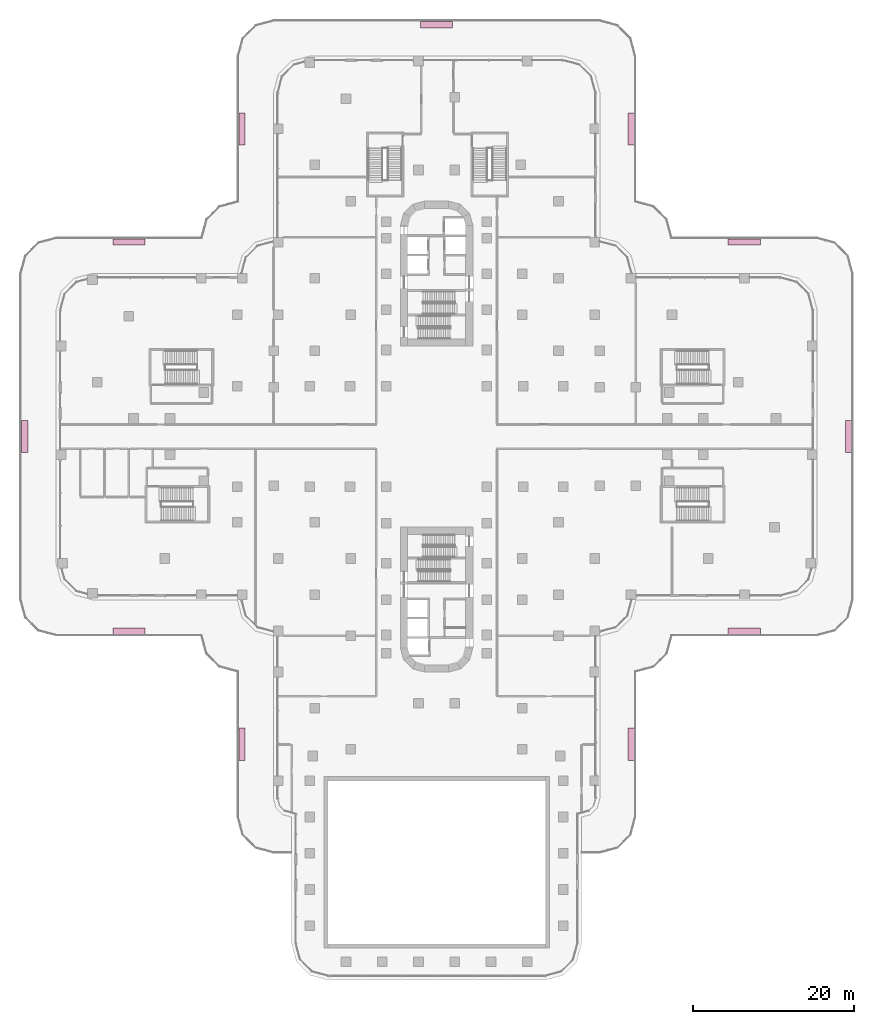
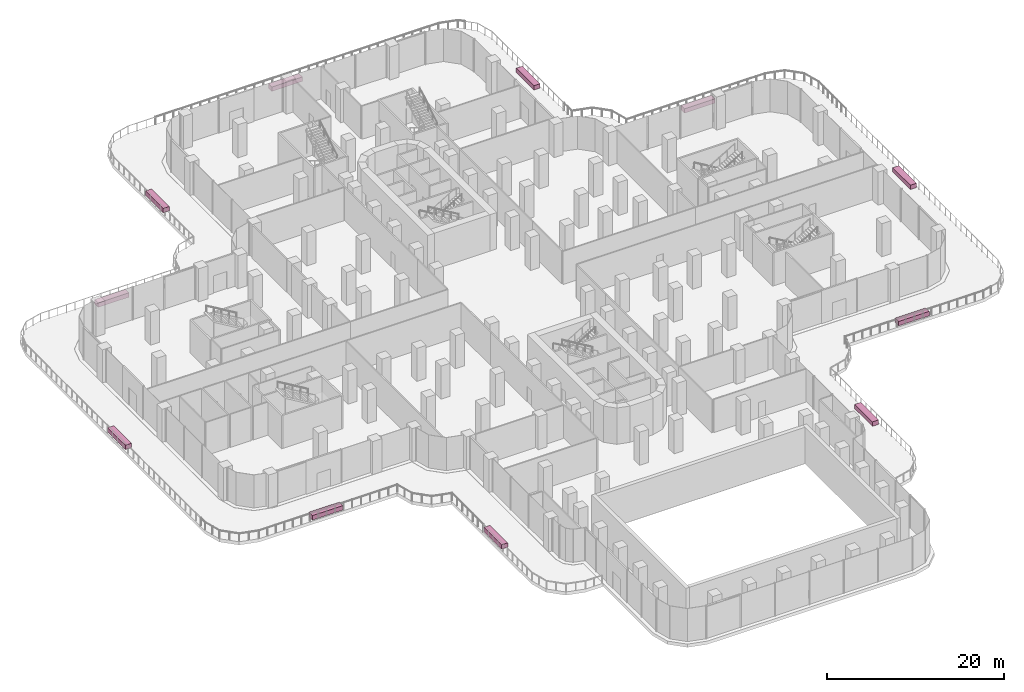
# One storey, part 29 of 29: 11 furniture elements.
"""IFC4 building model written with IfcOpenShell, lengths in metres."""

from ifc_helpers import new_model, si_unit, direction, frame, origin, origin_2d, place, context, subcontext, project, spatial, rectangle, extrude, material, type_object, element, save


model = new_model("IFC4")

# Units and contexts
model_context = context("Model", 3, precision=1e-05, world=origin(), true_north=direction((0.0, 1.0)))
body_context = subcontext(model_context, "Body", "Model", "MODEL_VIEW")
ifc_project = project(units=[si_unit("LENGTHUNIT", "METRE"), si_unit("AREAUNIT", "SQUARE_METRE"), si_unit("VOLUMEUNIT", "CUBIC_METRE"), si_unit("PLANEANGLEUNIT", "RADIAN"), si_unit("MASSUNIT", "GRAM", prefix="KILO")], contexts=[model_context])

# Site, building, storey
site_placement = place(None, origin())
site = spatial("IfcSite", under=ifc_project, at=site_placement, CompositionType="ELEMENT")
building_placement = place(site_placement, origin())
building = spatial("IfcBuilding", under=site, at=building_placement, Name="Zarbagh Exchange Tower", CompositionType="ELEMENT")
storey_placement = place(building_placement, frame((0.0, 0.0, 12.0)))
storey = spatial("IfcBuildingStorey", under=building, at=storey_placement, Name="L02", CompositionType="ELEMENT", Elevation=12.0)

# Furniture
ifc_material = material(Name="Concrete C40/50", Category="concrete")
furniture_type = type_object("IfcFurnitureType", Name="PLANTER planting bed, concrete trough", AssemblyPlace="NOTDEFINED", PredefinedType="USERDEFINED", material=ifc_material)
for number, where, z_axis, x_axis, name in (
    (1, (-24.169921875, -38.214111328125, 0.0), (0.0, 0.0, 1.0), (0.0, 1.0, 0.0), "planter"),
    (2, (-38.214111328125, -24.169921875, 0.0), (0.0, 0.0, 1.0), (-1.0, 0.0, 0.0), "planter"),
    (3, (-51.169921875, 0.0, 0.0), (0.0, 0.0, 1.0), (0.0, 1.0, 0.0), "planter"),
    (4, (-38.214111328125, 24.169921875, 0.0), (0.0, 0.0, 1.0), (1.0, 0.0, 0.0), "planter"),
    (5, (-24.169921875, 38.214111328125, 0.0), (0.0, 0.0, 1.0), (0.0, 1.0, 0.0), "planter"),
    (6, (0.0, 51.169921875, 0.0), (0.0, 0.0, 1.0), (1.0, 0.0, 0.0), "planter"),
    (7, (24.169921875, 38.214111328125, 0.0), (0.0, 0.0, 1.0), (0.0, -1.0, 0.0), "planter"),
    (8, (38.214111328125, 24.169921875, 0.0), (0.0, 0.0, 1.0), (1.0, 0.0, 0.0), "planter"),
    (9, (51.169921875, 0.0, 0.0), (0.0, 0.0, 1.0), (0.0, -1.0, 0.0), "planter"),
    (10, (38.214111328125, -24.169921875, 0.0), (0.0, 0.0, 1.0), (-1.0, 0.0, 0.0), "planter"),
    (11, (24.169921875, -38.214111328125, 0.0), (0.0, 0.0, 1.0), (0.0, -1.0, 0.0), "planter"),
):
    element("IfcFurniture", number, at=place(storey_placement, frame(where, z_axis=z_axis, x_axis=x_axis)), inside=storey, type_object=furniture_type, Name=name, ObjectType="PLANTER", PredefinedType="USERDEFINED", context=body_context, shape_type="SweptSolid", body=[
        extrude(rectangle(XDim=4.0, YDim=0.800048828125, at=origin_2d()), origin(), (0.0, 0.0, 1.0), 0.60009765625),
    ])

save(model, "model.ifc")
